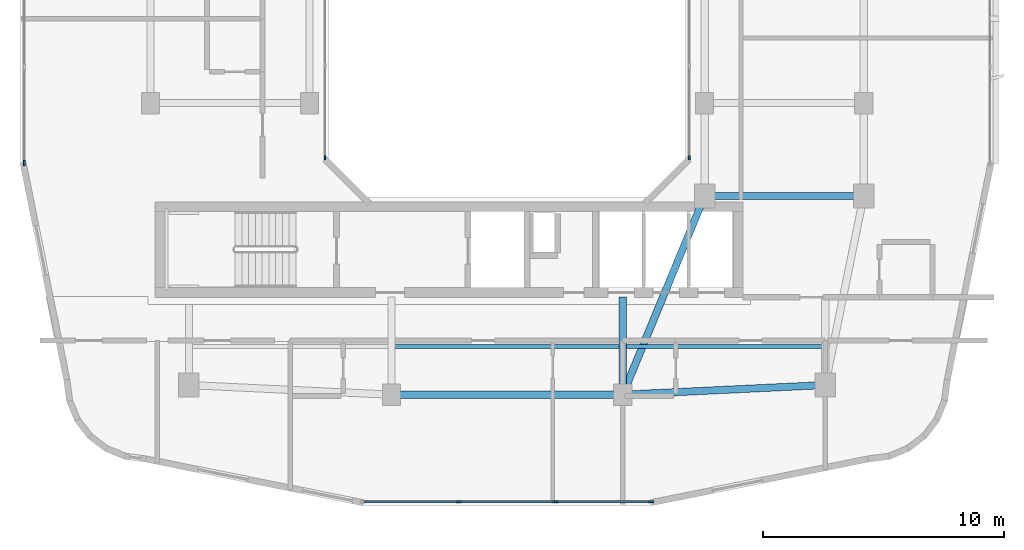
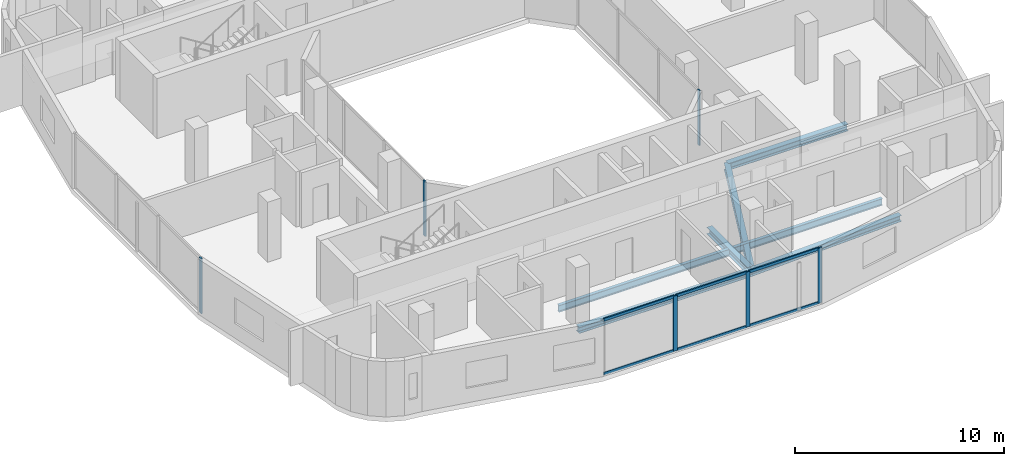
# One storey, part 2 of 14: 12 members, 7 beams, 4 elements without a shape of their own.
"""IFC4 building model written with IfcOpenShell, lengths in metres."""

from ifc_helpers import new_model, si_unit, derived_unit, direction, frame, origin, origin_2d, place, context, subcontext, project, spatial, rectangle, i_section, extrude, material, layer, layer_set, material_profile, profile_set, type_object, element, aggregate, save


model = new_model("IFC4")

# Units and contexts
model_context = context("Model", 3, precision=1e-05, world=origin(), true_north=direction((0.0, 1.0)))
body_context = subcontext(model_context, "Body", "Model", "MODEL_VIEW")
ifc_project = project(units=[si_unit("LENGTHUNIT", "METRE"), si_unit("AREAUNIT", "SQUARE_METRE"), si_unit("VOLUMEUNIT", "CUBIC_METRE"), si_unit("PLANEANGLEUNIT", "RADIAN"), si_unit("MASSUNIT", "GRAM", prefix="KILO"), derived_unit("THERMALTRANSMITTANCEUNIT", [(si_unit("POWERUNIT", "WATT"), 1), (si_unit("LENGTHUNIT", "METRE"), -2), (si_unit("THERMODYNAMICTEMPERATUREUNIT", "KELVIN"), -1)])], contexts=[model_context])

# Site, building, storey
site_placement = place(None, origin())
site = spatial("IfcSite", under=ifc_project, at=site_placement, CompositionType="ELEMENT")
building_placement = place(site_placement, origin())
building = spatial("IfcBuilding", under=site, at=building_placement, Name="Kivonza Crest Hotel", CompositionType="ELEMENT")
storey_placement = place(building_placement, frame((0.0, 0.0, 159.0)))
storey = spatial("IfcBuildingStorey", under=building, at=storey_placement, Name="L43", CompositionType="ELEMENT", Elevation=159.0)

# Beams
ifc_material_1 = material(Name="Steel S355", Category="steel")
ifc_material_profile_1 = material_profile(ifc_material_1, i_section(OverallWidth=0.300048828125, OverallDepth=0.360107421875, WebThickness=0.012451171875, FlangeThickness=0.0224609375, FilletRadius=0.027099609375, at=origin_2d()), Name="HEB 360")
ifc_profile_set_1 = profile_set([ifc_material_profile_1], Name="Steel S355")
beam_type_1 = type_object("IfcBeamType", Name="BM-HEB360", PredefinedType="SPANDREL", material=ifc_profile_set_1)
beam_1_placement = place(storey_placement, frame((16.199951171875, 9.39990234375, -0.4599609375), z_axis=(1.0, 0.0, 0.0), x_axis=(0.0, 1.0, 0.0)))
element("IfcBeam", 1, at=beam_1_placement, inside=storey, type_object=beam_type_1, Name="Tower T1 L43 perimeter spandrel S1-S2", PredefinedType="SPANDREL", context=body_context, shape_type="SweptSolid", body=[
    extrude(i_section(OverallWidth=0.300048828125, OverallDepth=0.360107421875, WebThickness=0.012451171875, FlangeThickness=0.0224609375, FilletRadius=0.027099609375, at=origin_2d()), origin(), (0.0, 0.0, 1.0), 9.60009765625),
])
beam_2_placement = place(storey_placement, frame((25.800048828125, 9.39990234375, -0.4599609375), z_axis=(0.998867283688, 0.047583080799, 0.0), x_axis=(-0.047583080799, 0.998867283688, 0.0)))
element("IfcBeam", 2, at=beam_2_placement, inside=storey, type_object=beam_type_1, Name="Tower T1 L43 perimeter spandrel S2-SE", PredefinedType="SPANDREL", context=body_context, shape_type="SweptSolid", body=[
    extrude(i_section(OverallWidth=0.300048828125, OverallDepth=0.360107421875, WebThickness=0.012451171875, FlangeThickness=0.0224609375, FilletRadius=0.027099609375, at=origin_2d()), origin(), (0.0, 0.0, 1.0), 8.409423828125),
])
ifc_material_profile_2 = material_profile(ifc_material_1, i_section(OverallWidth=0.300048828125, OverallDepth=0.39990234375, WebThickness=0.013427734375, FlangeThickness=0.02392578125, FilletRadius=0.027099609375, at=origin_2d()), Name="HEB 400")
ifc_profile_set_2 = profile_set([ifc_material_profile_2], Name="Steel S355")
beam_type_2 = type_object("IfcBeamType", Name="BM-HEB400", PredefinedType="BEAM", material=ifc_profile_set_2)
beam_3_placement = place(storey_placement, frame((25.800048828125, 9.39990234375, -0.47998046875), z_axis=(0.381022260404, 0.924565864109, 0.0), x_axis=(-0.924565864109, 0.381022260404, 0.0)))
element("IfcBeam", 3, at=beam_3_placement, inside=storey, type_object=beam_type_2, Name="Tower T1 L43 primary girder S1-TSE", PredefinedType="BEAM", context=body_context, shape_type="SweptSolid", body=[
    extrude(i_section(OverallWidth=0.300048828125, OverallDepth=0.39990234375, WebThickness=0.013427734375, FlangeThickness=0.02392578125, FilletRadius=0.027099609375, at=origin_2d()), origin(), (0.0, 0.0, 1.0), 8.923095703125),
])
beam_4_placement = place(storey_placement, frame((29.199951171875, 17.64990234375, -0.47998046875), z_axis=(1.0, 0.0, 0.0), x_axis=(0.0, 1.0, 0.0)))
element("IfcBeam", 4, at=beam_4_placement, inside=storey, type_object=beam_type_2, Name="Tower T1 L43 primary girder TSE-PSE", PredefinedType="BEAM", context=body_context, shape_type="SweptSolid", body=[
    extrude(i_section(OverallWidth=0.300048828125, OverallDepth=0.39990234375, WebThickness=0.013427734375, FlangeThickness=0.02392578125, FilletRadius=0.027099609375, at=origin_2d()), origin(), (0.0, 0.0, 1.0), 6.60009765625),
])
beam_5_placement = place(storey_placement, frame((25.800048828125, 9.39990234375, -0.47998046875), z_axis=(0.0, 1.0, 0.0), x_axis=(-1.0, 0.0, 0.0)))
element("IfcBeam", 5, at=beam_5_placement, inside=storey, type_object=beam_type_2, Name="Tower T1 L43 radial core girder RS2", PredefinedType="BEAM", context=body_context, shape_type="SweptSolid", body=[
    extrude(i_section(OverallWidth=0.300048828125, OverallDepth=0.39990234375, WebThickness=0.013427734375, FlangeThickness=0.02392578125, FilletRadius=0.027099609375, at=origin_2d()), origin(), (0.0, 0.0, 1.0), 4.050048828125),
])
ifc_material_profile_3 = material_profile(ifc_material_1, i_section(OverallWidth=0.179931640625, OverallDepth=0.39990234375, WebThickness=0.008544921875, FlangeThickness=0.013427734375, FilletRadius=0.02099609375, at=origin_2d()), Name="IPE 400")
ifc_profile_set_3 = profile_set([ifc_material_profile_3], Name="Steel S355")
beam_type_3 = type_object("IfcBeamType", Name="BM-IPE400", PredefinedType="JOIST", material=ifc_profile_set_3)
beam_6_placement = place(storey_placement, frame((16.280029296875, 11.39990234375, -0.47998046875), z_axis=(1.0, 0.0, 0.0), x_axis=(0.0, 1.0, 0.0)))
element("IfcBeam", 6, at=beam_6_placement, inside=storey, type_object=beam_type_3, Name="Tower T1 L43 South-Mid floor joist", PredefinedType="JOIST", context=body_context, shape_type="SweptSolid", body=[
    extrude(i_section(OverallWidth=0.179931640625, OverallDepth=0.39990234375, WebThickness=0.008544921875, FlangeThickness=0.013427734375, FilletRadius=0.02099609375, at=origin_2d()), origin(), (0.0, 0.0, 1.0), 9.43994140625),
])
beam_7_placement = place(storey_placement, frame((25.8798828125, 11.39990234375, -0.47998046875), z_axis=(1.0, 0.0, 0.0), x_axis=(0.0, 1.0, 0.0)))
element("IfcBeam", 7, at=beam_7_placement, inside=storey, type_object=beam_type_3, Name="Tower T1 L43 South-East floor joist", PredefinedType="JOIST", context=body_context, shape_type="SweptSolid", body=[
    extrude(i_section(OverallWidth=0.179931640625, OverallDepth=0.39990234375, WebThickness=0.008544921875, FlangeThickness=0.013427734375, FilletRadius=0.02099609375, at=origin_2d()), origin(), (0.0, 0.0, 1.0), 8.240234375),
])

# Curtain wall, member
ifc_material_2 = material(Name="Anodised bronze aluminium and low-E double glazing", Category="aluminium")
ifc_layer_1 = layer(ifc_material_2, 0.159912109375)
ifc_layer_set_1 = layer_set([ifc_layer_1], Name="Anodised bronze aluminium and low-E double glazing")
curtain_wall_type_1 = type_object("IfcCurtainWallType", Name="CW-SYS-5", PredefinedType="NOTDEFINED", material=ifc_layer_set_1)
curtain_wall_1_placement = place(storey_placement, origin())
curtain_wall_1 = element("IfcCurtainWall", 8, at=curtain_wall_1_placement, inside=storey, type_object=curtain_wall_type_1, Name="L43 unitised curtain wall CW-WELL-T1-L43-3", PredefinedType="NOTDEFINED")
ifc_material_3 = material(Name="Anodised bronze aluminium", Category="aluminium")
ifc_material_profile_4 = material_profile(ifc_material_3, rectangle(XDim=0.06494140625, YDim=0.179931640625, at=origin_2d()), Name="CW-M 65x180")
ifc_profile_set_4 = profile_set([ifc_material_profile_4], Name="Anodised bronze aluminium")
member_type_1 = type_object("IfcMemberType", Name="CW-MUL-65x180", PredefinedType="MULLION", material=ifc_profile_set_4)
member_1_placement = place(storey_placement, frame((28.56005859375, 19.232421875, 0.0), z_axis=(0.0, 0.0, 1.0), x_axis=(-1.0, 0.0, 0.0)))
member_1 = element("IfcMember", 9, at=member_1_placement, type_object=member_type_1, Name="CW-5 mullion 1", PredefinedType="MULLION", context=body_context, shape_type="SweptSolid", body=[
    extrude(rectangle(XDim=0.06494140625, YDim=0.179931640625, at=origin_2d()), origin(), (0.0, 0.0, 1.0), 3.219970703125),
])
aggregate(curtain_wall_1, [member_1])

curtain_wall_2_placement = place(storey_placement, origin())
curtain_wall_2 = element("IfcCurtainWall", 10, at=curtain_wall_2_placement, inside=storey, type_object=curtain_wall_type_1, Name="L43 unitised curtain wall CW-WELL-T1-L43-7", PredefinedType="NOTDEFINED")
member_2_placement = place(storey_placement, frame((13.43994140625, 19.232421875, 0.0), z_axis=(0.0, 0.0, 1.0), x_axis=(1.0, 0.0, 0.0)))
member_2 = element("IfcMember", 11, at=member_2_placement, type_object=member_type_1, Name="CW-5 mullion 4", PredefinedType="MULLION", context=body_context, shape_type="SweptSolid", body=[
    extrude(rectangle(XDim=0.06494140625, YDim=0.179931640625, at=origin_2d()), origin(), (0.0, 0.0, 1.0), 3.219970703125),
])
aggregate(curtain_wall_2, [member_2])

# Curtain wall, members
ifc_layer_2 = layer(ifc_material_2, 0.179931640625)
ifc_layer_set_2 = layer_set([ifc_layer_2], Name="Anodised bronze aluminium and low-E double glazing")
curtain_wall_type_2 = type_object("IfcCurtainWallType", Name="CW-SYS-3", PredefinedType="NOTDEFINED", material=ifc_layer_set_2)
curtain_wall_3_placement = place(storey_placement, origin())
curtain_wall_3 = element("IfcCurtainWall", 12, at=curtain_wall_3_placement, inside=storey, type_object=curtain_wall_type_2, Name="L43 unitised curtain wall CW-T1-L43-08", PredefinedType="NOTDEFINED")
ifc_material_profile_5 = material_profile(ifc_material_3, rectangle(XDim=0.074951171875, YDim=0.219970703125, at=origin_2d()), Name="CW-M 75x220")
ifc_profile_set_5 = profile_set([ifc_material_profile_5], Name="Anodised bronze aluminium")
member_type_2 = type_object("IfcMemberType", Name="CW-MUL-75x220", PredefinedType="MULLION", material=ifc_profile_set_5)
member_3_placement = place(storey_placement, frame((18.993408203125, 4.9599609375, 0.0), z_axis=(0.0, 0.0, 1.0), x_axis=(0.0, 1.0, 0.0)))
member_3 = element("IfcMember", 13, at=member_3_placement, type_object=member_type_2, Name="CW-3 mullion 2", PredefinedType="MULLION", context=body_context, shape_type="SweptSolid", body=[
    extrude(rectangle(XDim=0.074951171875, YDim=0.219970703125, at=origin_2d()), origin(), (0.0, 0.0, 1.0), 3.219970703125),
])
member_4_placement = place(storey_placement, frame((23.006591796875, 4.9599609375, 0.0), z_axis=(0.0, 0.0, 1.0), x_axis=(0.0, 1.0, 0.0)))
member_4 = element("IfcMember", 14, at=member_4_placement, type_object=member_type_2, Name="CW-3 mullion 3", PredefinedType="MULLION", context=body_context, shape_type="SweptSolid", body=[
    extrude(rectangle(XDim=0.074951171875, YDim=0.219970703125, at=origin_2d()), origin(), (0.0, 0.0, 1.0), 3.219970703125),
])
member_5_placement = place(storey_placement, frame((26.982421875, 4.9599609375, 0.0), z_axis=(0.0, 0.0, 1.0), x_axis=(0.0, 1.0, 0.0)))
member_5 = element("IfcMember", 15, at=member_5_placement, type_object=member_type_2, Name="CW-3 mullion 4", PredefinedType="MULLION", context=body_context, shape_type="SweptSolid", body=[
    extrude(rectangle(XDim=0.074951171875, YDim=0.219970703125, at=origin_2d()), origin(), (0.0, 0.0, 1.0), 3.219970703125),
])

# Curtain wall, member
curtain_wall_4_placement = place(storey_placement, origin())
curtain_wall_4 = element("IfcCurtainWall", 16, at=curtain_wall_4_placement, inside=storey, type_object=curtain_wall_type_2, Name="L43 unitised curtain wall CW-T1-L43-35", PredefinedType="NOTDEFINED")
member_6_placement = place(storey_placement, frame((0.9599609375, 19.017578125, 0.0), z_axis=(0.0, 0.0, 1.0), x_axis=(1.0, 0.0, 0.0)))
member_6 = element("IfcMember", 17, at=member_6_placement, type_object=member_type_2, Name="CW-3 mullion 4", PredefinedType="MULLION", context=body_context, shape_type="SweptSolid", body=[
    extrude(rectangle(XDim=0.074951171875, YDim=0.219970703125, at=origin_2d()), origin(), (0.0, 0.0, 1.0), 3.219970703125),
])
aggregate(curtain_wall_4, [member_6])

# Member
ifc_material_profile_6 = material_profile(ifc_material_3, rectangle(XDim=0.074951171875, YDim=0.159912109375, at=origin_2d()), Name="CW-T 75x160")
ifc_profile_set_6 = profile_set([ifc_material_profile_6], Name="Anodised bronze aluminium")
member_type_3 = type_object("IfcMemberType", Name="CW-TRN-75x160", PredefinedType="USERDEFINED", material=ifc_profile_set_6)
member_7_placement = place(storey_placement, frame((15.054931640625, 4.9599609375, 0.03759765625), z_axis=(1.0, 0.0, 0.0), x_axis=(0.0, 1.0, 0.0)))
member_7 = element("IfcMember", 18, at=member_7_placement, type_object=member_type_3, Name="CW-3 transom 1.1", ObjectType="TRANSOM", PredefinedType="USERDEFINED", context=body_context, shape_type="SweptSolid", body=[
    extrude(rectangle(XDim=0.074951171875, YDim=0.159912109375, at=origin_2d()), origin(), (0.0, 0.0, 1.0), 3.90087890625),
])

member_8_placement = place(storey_placement, frame((15.054931640625, 4.9599609375, 3.1826171875), z_axis=(1.0, 0.0, 0.0), x_axis=(0.0, 1.0, 0.0)))
member_8 = element("IfcMember", 19, at=member_8_placement, type_object=member_type_3, Name="CW-3 transom 1.2", ObjectType="TRANSOM", PredefinedType="USERDEFINED", context=body_context, shape_type="SweptSolid", body=[
    extrude(rectangle(XDim=0.074951171875, YDim=0.159912109375, at=origin_2d()), origin(), (0.0, 0.0, 1.0), 3.90087890625),
])

member_9_placement = place(storey_placement, frame((19.03076171875, 4.9599609375, 0.03759765625), z_axis=(1.0, 0.0, 0.0), x_axis=(0.0, 1.0, 0.0)))
member_9 = element("IfcMember", 20, at=member_9_placement, type_object=member_type_3, Name="CW-3 transom 2.1", ObjectType="TRANSOM", PredefinedType="USERDEFINED", context=body_context, shape_type="SweptSolid", body=[
    extrude(rectangle(XDim=0.074951171875, YDim=0.159912109375, at=origin_2d()), origin(), (0.0, 0.0, 1.0), 3.9384765625),
])

member_10_placement = place(storey_placement, frame((19.03076171875, 4.9599609375, 3.1826171875), z_axis=(1.0, 0.0, 0.0), x_axis=(0.0, 1.0, 0.0)))
member_10 = element("IfcMember", 21, at=member_10_placement, type_object=member_type_3, Name="CW-3 transom 2.2", ObjectType="TRANSOM", PredefinedType="USERDEFINED", context=body_context, shape_type="SweptSolid", body=[
    extrude(rectangle(XDim=0.074951171875, YDim=0.159912109375, at=origin_2d()), origin(), (0.0, 0.0, 1.0), 3.9384765625),
])

member_11_placement = place(storey_placement, frame((23.044189453125, 4.9599609375, 0.03759765625), z_axis=(1.0, 0.0, 0.0), x_axis=(0.0, 1.0, 0.0)))
member_11 = element("IfcMember", 22, at=member_11_placement, type_object=member_type_3, Name="CW-3 transom 3.1", ObjectType="TRANSOM", PredefinedType="USERDEFINED", context=body_context, shape_type="SweptSolid", body=[
    extrude(rectangle(XDim=0.074951171875, YDim=0.159912109375, at=origin_2d()), origin(), (0.0, 0.0, 1.0), 3.90087890625),
])

member_12_placement = place(storey_placement, frame((23.044189453125, 4.9599609375, 3.1826171875), z_axis=(1.0, 0.0, 0.0), x_axis=(0.0, 1.0, 0.0)))
member_12 = element("IfcMember", 23, at=member_12_placement, type_object=member_type_3, Name="CW-3 transom 3.2", ObjectType="TRANSOM", PredefinedType="USERDEFINED", context=body_context, shape_type="SweptSolid", body=[
    extrude(rectangle(XDim=0.074951171875, YDim=0.159912109375, at=origin_2d()), origin(), (0.0, 0.0, 1.0), 3.90087890625),
])

aggregate(curtain_wall_3, [member_3, member_4, member_5, member_7, member_8, member_9, member_10, member_11, member_12])

save(model, "model.ifc")
